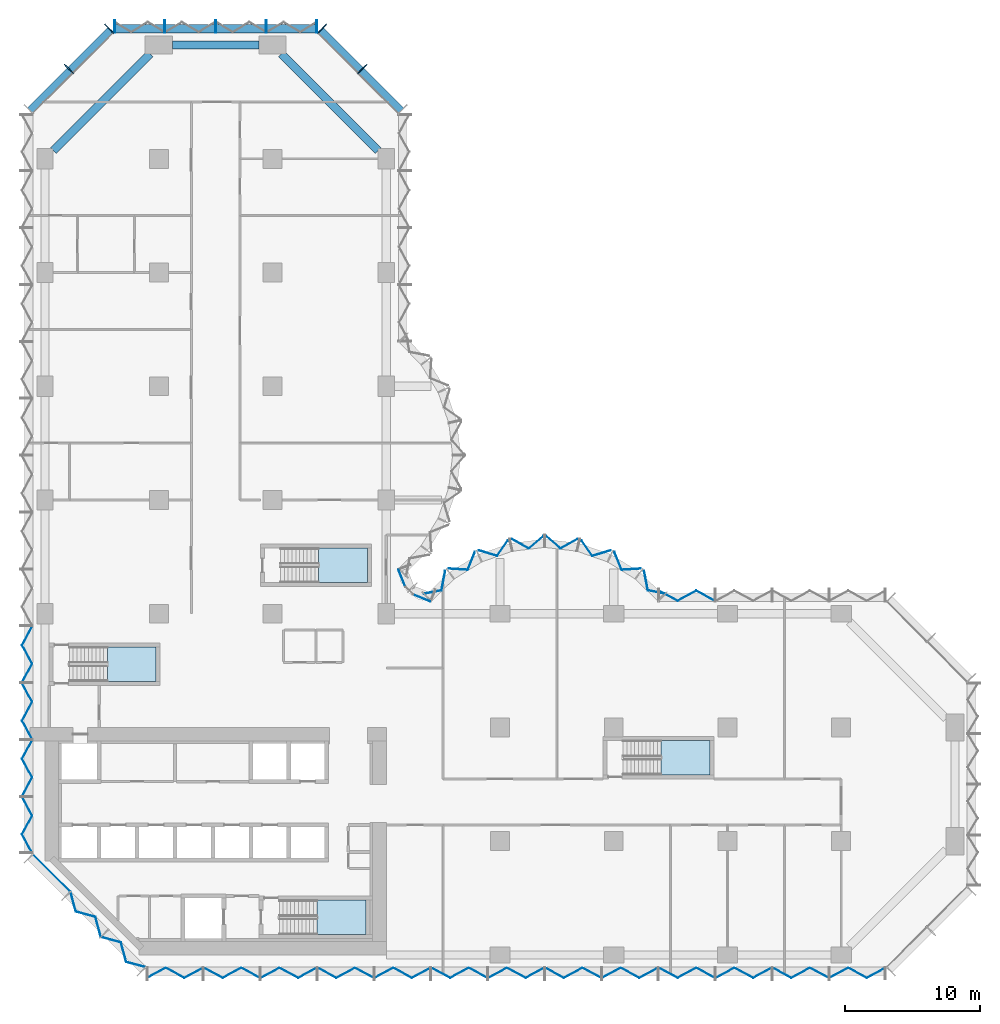
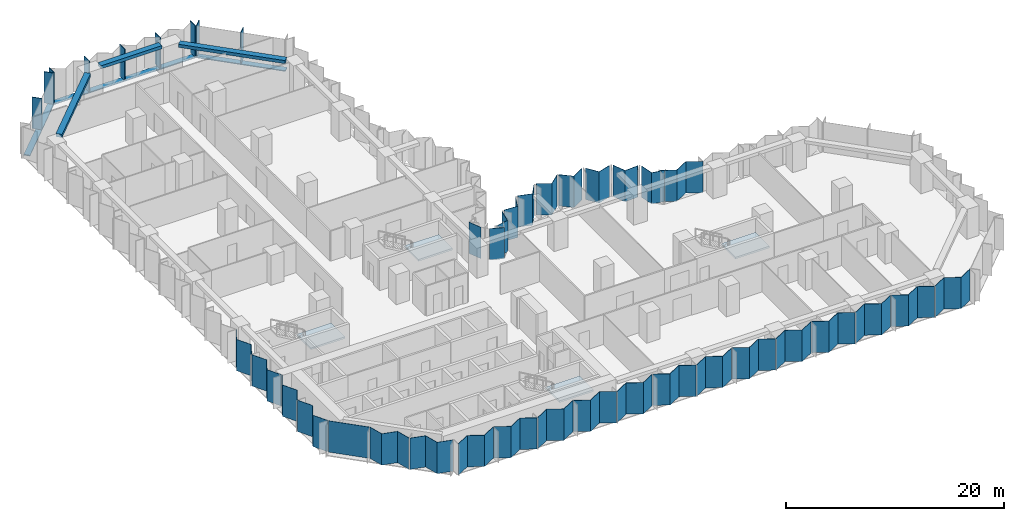
# One storey, part 5 of 15: 31 plates, 12 members, 4 slabs, 3 beams, 13 elements without a shape of their own.
"""IFC4 building model written with IfcOpenShell, lengths in metres."""

from ifc_helpers import new_model, si_unit, direction, frame, origin, origin_2d, place, context, subcontext, project, spatial, polyline, rectangle, outline, extrude, material, layer, layer_set, material_profile, profile_set, type_object, element, aggregate, save


model = new_model("IFC4")

# Units and contexts
model_context = context("Model", 3, precision=1e-05, world=origin(), true_north=direction((0.0, 1.0)))
body_context = subcontext(model_context, "Body", "Model", "MODEL_VIEW")
ifc_project = project(units=[si_unit("LENGTHUNIT", "METRE"), si_unit("AREAUNIT", "SQUARE_METRE"), si_unit("VOLUMEUNIT", "CUBIC_METRE"), si_unit("PLANEANGLEUNIT", "RADIAN"), si_unit("MASSUNIT", "GRAM", prefix="KILO")], contexts=[model_context])

# Site, building, storey
site_placement = place(None, origin())
site = spatial("IfcSite", under=ifc_project, at=site_placement, CompositionType="ELEMENT")
building_placement = place(site_placement, origin())
building = spatial("IfcBuilding", under=site, at=building_placement, Name="Brevane Broadcast Tower", CompositionType="ELEMENT")
storey_placement = place(building_placement, frame((0.0, 0.0, 79.699951171875)))
storey = spatial("IfcBuildingStorey", under=building, at=storey_placement, Name="L18", CompositionType="ELEMENT", Elevation=79.699951171875)

# Curtain wall, members
ifc_material_1 = material(Name="Aluminium 6063-T6 bronze anodised", Category="aluminium")
curtain_wall_type = type_object("IfcCurtainWallType", Name="CW-1 curtain wall", PredefinedType="NOTDEFINED", material=ifc_material_1)
curtain_wall_1_placement = place(storey_placement, origin())
curtain_wall_1 = element("IfcCurtainWall", 1, at=curtain_wall_1_placement, inside=storey, type_object=curtain_wall_type, Name="CW-1 typical tilted unit L18 north arm north-east chamfer", PredefinedType="NOTDEFINED")
ifc_material_profile_1 = material_profile(ifc_material_1, rectangle(XDim=0.949951171875, YDim=0.070068359375, at=origin_2d()), Name="RECT 70x950")
ifc_profile_set_1 = profile_set([ifc_material_profile_1], Name="Aluminium 6063-T6 bronze anodised")
member_type_1 = type_object("IfcMemberType", Name="CW-1 mullion 70x950", PredefinedType="MULLION", material=ifc_profile_set_1)
member_1_placement = place(storey_placement, frame((23.435791015625, 65.435791015625, -0.14990234375), z_axis=(0.0, 0.0, 1.0), x_axis=(-0.707106781187, -0.707106781187, 0.0)))
member_1 = element("IfcMember", 2, at=member_1_placement, type_object=member_type_1, Name="CW-1 mullion", PredefinedType="MULLION", context=body_context, shape_type="SweptSolid", body=[
    extrude(rectangle(XDim=0.949951171875, YDim=0.070068359375, at=origin_2d()), origin(), (0.0, 0.0, 1.0), 3.5),
])
member_2_placement = place(storey_placement, frame((20.460693359375, 68.4111328125, -0.14990234375), z_axis=(0.0, 0.0, 1.0), x_axis=(-0.707106781187, -0.707106781187, 0.0)))
member_2 = element("IfcMember", 3, at=member_2_placement, type_object=member_type_1, Name="CW-1 mullion", PredefinedType="MULLION", context=body_context, shape_type="SweptSolid", body=[
    extrude(rectangle(XDim=0.949951171875, YDim=0.070068359375, at=origin_2d()), origin(), (0.0, 0.0, 1.0), 3.5),
])

curtain_wall_2_placement = place(storey_placement, origin())
curtain_wall_2 = element("IfcCurtainWall", 4, at=curtain_wall_2_placement, inside=storey, type_object=curtain_wall_type, Name="CW-1 typical tilted unit L18 north end", PredefinedType="NOTDEFINED")
member_3_placement = place(storey_placement, frame((20.06494140625, 68.574951171875, -0.14990234375), z_axis=(0.0, 0.0, 1.0), x_axis=(0.0, -1.0, 0.0)))
member_3 = element("IfcMember", 5, at=member_3_placement, type_object=member_type_1, Name="CW-1 mullion", PredefinedType="MULLION", context=body_context, shape_type="SweptSolid", body=[
    extrude(rectangle(XDim=0.949951171875, YDim=0.070068359375, at=origin_2d()), origin(), (0.0, 0.0, 1.0), 3.5),
])
member_4_placement = place(storey_placement, frame((16.35009765625, 68.574951171875, -0.14990234375), z_axis=(0.0, 0.0, 1.0), x_axis=(0.0, -1.0, 0.0)))
member_4 = element("IfcMember", 6, at=member_4_placement, type_object=member_type_1, Name="CW-1 mullion", PredefinedType="MULLION", context=body_context, shape_type="SweptSolid", body=[
    extrude(rectangle(XDim=0.949951171875, YDim=0.070068359375, at=origin_2d()), origin(), (0.0, 0.0, 1.0), 3.5),
])
member_5_placement = place(storey_placement, frame((12.60009765625, 68.574951171875, -0.14990234375), z_axis=(0.0, 0.0, 1.0), x_axis=(0.0, -1.0, 0.0)))
member_5 = element("IfcMember", 7, at=member_5_placement, type_object=member_type_1, Name="CW-1 mullion", PredefinedType="MULLION", context=body_context, shape_type="SweptSolid", body=[
    extrude(rectangle(XDim=0.949951171875, YDim=0.070068359375, at=origin_2d()), origin(), (0.0, 0.0, 1.0), 3.5),
])
member_6_placement = place(storey_placement, frame((8.85009765625, 68.574951171875, -0.14990234375), z_axis=(0.0, 0.0, 1.0), x_axis=(0.0, -1.0, 0.0)))
member_6 = element("IfcMember", 8, at=member_6_placement, type_object=member_type_1, Name="CW-1 mullion", PredefinedType="MULLION", context=body_context, shape_type="SweptSolid", body=[
    extrude(rectangle(XDim=0.949951171875, YDim=0.070068359375, at=origin_2d()), origin(), (0.0, 0.0, 1.0), 3.5),
])
member_7_placement = place(storey_placement, frame((5.135009765625, 68.574951171875, -0.14990234375), z_axis=(0.0, 0.0, 1.0), x_axis=(0.0, -1.0, 0.0)))
member_7 = element("IfcMember", 9, at=member_7_placement, type_object=member_type_1, Name="CW-1 mullion", PredefinedType="MULLION", context=body_context, shape_type="SweptSolid", body=[
    extrude(rectangle(XDim=0.949951171875, YDim=0.070068359375, at=origin_2d()), origin(), (0.0, 0.0, 1.0), 3.5),
])

curtain_wall_3_placement = place(storey_placement, origin())
curtain_wall_3 = element("IfcCurtainWall", 10, at=curtain_wall_3_placement, inside=storey, type_object=curtain_wall_type, Name="CW-1 typical tilted unit L18 north-west chamfer", PredefinedType="NOTDEFINED")
member_8_placement = place(storey_placement, frame((4.7392578125, 68.4111328125, -0.14990234375), z_axis=(0.0, 0.0, 1.0), x_axis=(0.707106781187, -0.707106781187, 0.0)))
member_8 = element("IfcMember", 11, at=member_8_placement, type_object=member_type_1, Name="CW-1 mullion", PredefinedType="MULLION", context=body_context, shape_type="SweptSolid", body=[
    extrude(rectangle(XDim=0.949951171875, YDim=0.070068359375, at=origin_2d()), origin(), (0.0, 0.0, 1.0), 3.5),
])
member_9_placement = place(storey_placement, frame((1.76416015625, 65.435791015625, -0.14990234375), z_axis=(0.0, 0.0, 1.0), x_axis=(0.707106781187, -0.707106781187, 0.0)))
member_9 = element("IfcMember", 12, at=member_9_placement, type_object=member_type_1, Name="CW-1 mullion", PredefinedType="MULLION", context=body_context, shape_type="SweptSolid", body=[
    extrude(rectangle(XDim=0.949951171875, YDim=0.070068359375, at=origin_2d()), origin(), (0.0, 0.0, 1.0), 3.5),
])

# Member
ifc_material_profile_2 = material_profile(ifc_material_1, rectangle(XDim=0.60009765625, YDim=0.10009765625, at=origin_2d()), Name="RECT 100x600")
ifc_profile_set_2 = profile_set([ifc_material_profile_2], Name="Aluminium 6063-T6 bronze anodised")
member_type_2 = type_object("IfcMemberType", Name="CW-1 transom 100x600", PredefinedType="USERDEFINED", material=ifc_profile_set_2)
member_10_placement = place(storey_placement, frame((26.31201171875, 62.31201171875, -0.199951171875), z_axis=(-0.707106781187, 0.707106781187, 0.0), x_axis=(-0.707106781187, -0.707106781187, 0.0)))
member_10 = element("IfcMember", 13, at=member_10_placement, type_object=member_type_2, Name="CW-1 transom", ObjectType="TRANSOM", PredefinedType="USERDEFINED", context=body_context, shape_type="SweptSolid", body=[
    extrude(rectangle(XDim=0.60009765625, YDim=0.10009765625, at=origin_2d()), origin(), (0.0, 0.0, 1.0), 8.4853515625),
])

aggregate(curtain_wall_1, [member_1, member_2, member_10])

member_11_placement = place(storey_placement, frame((20.10009765625, 68.39990234375, -0.199951171875), z_axis=(-1.0, 0.0, 0.0), x_axis=(0.0, -1.0, 0.0)))
member_11 = element("IfcMember", 14, at=member_11_placement, type_object=member_type_2, Name="CW-1 transom", ObjectType="TRANSOM", PredefinedType="USERDEFINED", context=body_context, shape_type="SweptSolid", body=[
    extrude(rectangle(XDim=0.60009765625, YDim=0.10009765625, at=origin_2d()), origin(), (0.0, 0.0, 1.0), 15.0),
])

aggregate(curtain_wall_2, [member_3, member_4, member_5, member_6, member_7, member_11])

member_12_placement = place(storey_placement, frame((4.887939453125, 68.31201171875, -0.199951171875), z_axis=(-0.707106781187, -0.707106781187, 0.0), x_axis=(0.707106781187, -0.707106781187, 0.0)))
member_12 = element("IfcMember", 15, at=member_12_placement, type_object=member_type_2, Name="CW-1 transom", ObjectType="TRANSOM", PredefinedType="USERDEFINED", context=body_context, shape_type="SweptSolid", body=[
    extrude(rectangle(XDim=0.60009765625, YDim=0.10009765625, at=origin_2d()), origin(), (0.0, 0.0, 1.0), 8.4853515625),
])

aggregate(curtain_wall_3, [member_8, member_9, member_12])

# Beams
ifc_material_2 = material(Name="Concrete C40/50", Category="concrete")
ifc_material_profile_3 = material_profile(ifc_material_2, rectangle(XDim=0.60009765625, YDim=0.35009765625, at=origin_2d()), Name="RC 600x350")
ifc_profile_set_3 = profile_set([ifc_material_profile_3], Name="Concrete C40/50")
beam_type = type_object("IfcBeamType", Name="RC SPANDREL BEAM 600x350 C40/50", PredefinedType="SPANDREL", material=ifc_profile_set_3)
beam_1_placement = place(storey_placement, frame((24.60009765625, 59.39990234375, 3.175048828125), z_axis=(-0.707106781187, 0.707106781187, 0.0), x_axis=(-0.707106781187, -0.707106781187, 0.0)))
element("IfcBeam", 16, at=beam_1_placement, inside=storey, type_object=beam_type, Name="EB1 L18-16", PredefinedType="SPANDREL", context=body_context, shape_type="SweptSolid", body=[
    extrude(rectangle(XDim=0.60009765625, YDim=0.35009765625, at=origin_2d()), origin(), (0.0, 0.0, 1.0), 10.11181640625),
])
beam_2_placement = place(storey_placement, frame((15.800048828125, 67.199951171875, 3.175048828125), z_axis=(-1.0, 0.0, 0.0), x_axis=(0.0, -1.0, 0.0)))
element("IfcBeam", 17, at=beam_2_placement, inside=storey, type_object=beam_type, Name="EB1 L18-17", PredefinedType="SPANDREL", context=body_context, shape_type="SweptSolid", body=[
    extrude(rectangle(XDim=0.60009765625, YDim=0.35009765625, at=origin_2d()), origin(), (0.0, 0.0, 1.0), 6.400146484375),
])
beam_3_placement = place(storey_placement, frame((7.75, 66.550048828125, 3.175048828125), z_axis=(-0.707094708853, -0.707118853314, 0.0), x_axis=(0.707118853314, -0.707094708853, 0.0)))
element("IfcBeam", 18, at=beam_3_placement, inside=storey, type_object=beam_type, Name="EB1 L18-18", PredefinedType="SPANDREL", context=body_context, shape_type="SweptSolid", body=[
    extrude(rectangle(XDim=0.60009765625, YDim=0.35009765625, at=origin_2d()), origin(), (0.0, 0.0, 1.0), 10.111572265625),
])

# Curtain wall, plates
curtain_wall_4_placement = place(storey_placement, origin())
curtain_wall_4 = element("IfcCurtainWall", 19, at=curtain_wall_4_placement, inside=storey, type_object=curtain_wall_type, Name="CW-1 typical tilted unit L18 south face", PredefinedType="NOTDEFINED")
ifc_material_3 = material(Name="Laminated glass bronze-tinted", Category="glass")
ifc_layer_1 = layer(ifc_material_3, 0.0400390625)
ifc_layer_set_1 = layer_set([ifc_layer_1], Name="CW tall glass panel 40")
plate_type = type_object("IfcPlateType", Name="CW tall glass panel 40", PredefinedType="CURTAIN_PANEL", material=ifc_layer_set_1)
plate_1_placement = place(storey_placement, frame((0.0, 0.0, -0.14990234375)))
plate_1 = element("IfcPlate", 20, at=plate_1_placement, type_object=plate_type, Name="CW-1 glass panel", PredefinedType="CURTAIN_PANEL", context=body_context, shape_type="SweptSolid", body=[
    extrude(outline(polyline([(7.534912109375, -1.671630859375), (7.534912109375, -1.717041015625), (8.91162109375, -0.97265625), (10.288330078125, -1.717041015625), (11.6650390625, -0.97265625), (11.6650390625, -0.92724609375), (10.288330078125, -1.671630859375), (8.91162109375, -0.92724609375), (7.534912109375, -1.671630859375)])), origin(), (0.0, 0.0, 1.0), 3.5),
])
plate_2_placement = place(storey_placement, frame((0.0, 0.0, -0.14990234375)))
plate_2 = element("IfcPlate", 21, at=plate_2_placement, type_object=plate_type, Name="CW-1 glass panel", PredefinedType="CURTAIN_PANEL", context=body_context, shape_type="SweptSolid", body=[
    extrude(outline(polyline([(11.735107421875, -0.92724609375), (11.735107421875, -0.97265625), (13.11181640625, -1.717041015625), (14.48828125, -0.97265625), (15.864990234375, -1.717041015625), (15.864990234375, -1.671630859375), (14.48828125, -0.92724609375), (13.11181640625, -1.671630859375), (11.735107421875, -0.92724609375)])), origin(), (0.0, 0.0, 1.0), 3.5),
])
plate_3_placement = place(storey_placement, frame((0.0, 0.0, -0.14990234375)))
plate_3 = element("IfcPlate", 22, at=plate_3_placement, type_object=plate_type, Name="CW-1 glass panel", PredefinedType="CURTAIN_PANEL", context=body_context, shape_type="SweptSolid", body=[
    extrude(outline(polyline([(15.93505859375, -1.671630859375), (15.93505859375, -1.717041015625), (17.311767578125, -0.97265625), (18.688232421875, -1.717041015625), (20.06494140625, -0.97265625), (20.06494140625, -0.92724609375), (18.688232421875, -1.671630859375), (17.311767578125, -0.92724609375), (15.93505859375, -1.671630859375)])), origin(), (0.0, 0.0, 1.0), 3.5),
])
plate_4_placement = place(storey_placement, frame((0.0, 0.0, -0.14990234375)))
plate_4 = element("IfcPlate", 23, at=plate_4_placement, type_object=plate_type, Name="CW-1 glass panel", PredefinedType="CURTAIN_PANEL", context=body_context, shape_type="SweptSolid", body=[
    extrude(outline(polyline([(20.135009765625, -0.92724609375), (20.135009765625, -0.97265625), (21.51171875, -1.717041015625), (22.88818359375, -0.97265625), (24.264892578125, -1.717041015625), (24.264892578125, -1.671630859375), (22.88818359375, -0.92724609375), (21.51171875, -1.671630859375), (20.135009765625, -0.92724609375)])), origin(), (0.0, 0.0, 1.0), 3.5),
])
plate_5_placement = place(storey_placement, frame((0.0, 0.0, -0.14990234375)))
plate_5 = element("IfcPlate", 24, at=plate_5_placement, type_object=plate_type, Name="CW-1 glass panel", PredefinedType="CURTAIN_PANEL", context=body_context, shape_type="SweptSolid", body=[
    extrude(outline(polyline([(24.3349609375, -1.671630859375), (24.3349609375, -1.717041015625), (25.711669921875, -0.97265625), (27.08837890625, -1.717041015625), (28.465087890625, -0.97265625), (28.465087890625, -0.92724609375), (27.08837890625, -1.671630859375), (25.711669921875, -0.92724609375), (24.3349609375, -1.671630859375)])), origin(), (0.0, 0.0, 1.0), 3.5),
])
plate_6_placement = place(storey_placement, frame((0.0, 0.0, -0.14990234375)))
plate_6 = element("IfcPlate", 25, at=plate_6_placement, type_object=plate_type, Name="CW-1 glass panel", PredefinedType="CURTAIN_PANEL", context=body_context, shape_type="SweptSolid", body=[
    extrude(outline(polyline([(28.534912109375, -0.92724609375), (28.534912109375, -0.97265625), (29.91162109375, -1.717041015625), (31.288330078125, -0.97265625), (32.6650390625, -1.717041015625), (32.6650390625, -1.671630859375), (31.288330078125, -0.92724609375), (29.91162109375, -1.671630859375), (28.534912109375, -0.92724609375)])), origin(), (0.0, 0.0, 1.0), 3.5),
])
plate_7_placement = place(storey_placement, frame((0.0, 0.0, -0.14990234375)))
plate_7 = element("IfcPlate", 26, at=plate_7_placement, type_object=plate_type, Name="CW-1 glass panel", PredefinedType="CURTAIN_PANEL", context=body_context, shape_type="SweptSolid", body=[
    extrude(outline(polyline([(32.735107421875, -1.671630859375), (32.735107421875, -1.717041015625), (34.11181640625, -0.97265625), (35.48828125, -1.717041015625), (36.864990234375, -0.97265625), (36.864990234375, -0.92724609375), (35.48828125, -1.671630859375), (34.11181640625, -0.92724609375), (32.735107421875, -1.671630859375)])), origin(), (0.0, 0.0, 1.0), 3.5),
])
plate_8_placement = place(storey_placement, frame((0.0, 0.0, -0.14990234375)))
plate_8 = element("IfcPlate", 27, at=plate_8_placement, type_object=plate_type, Name="CW-1 glass panel", PredefinedType="CURTAIN_PANEL", context=body_context, shape_type="SweptSolid", body=[
    extrude(outline(polyline([(36.93505859375, -0.92724609375), (36.93505859375, -0.97265625), (38.311767578125, -1.717041015625), (39.688232421875, -0.97265625), (41.06494140625, -1.717041015625), (41.06494140625, -1.671630859375), (39.688232421875, -0.92724609375), (38.311767578125, -1.671630859375), (36.93505859375, -0.92724609375)])), origin(), (0.0, 0.0, 1.0), 3.5),
])
plate_9_placement = place(storey_placement, frame((0.0, 0.0, -0.14990234375)))
plate_9 = element("IfcPlate", 28, at=plate_9_placement, type_object=plate_type, Name="CW-1 glass panel", PredefinedType="CURTAIN_PANEL", context=body_context, shape_type="SweptSolid", body=[
    extrude(outline(polyline([(41.135009765625, -1.671630859375), (41.135009765625, -1.717041015625), (42.51171875, -0.97265625), (43.88818359375, -1.717041015625), (45.264892578125, -0.97265625), (45.264892578125, -0.92724609375), (43.88818359375, -1.671630859375), (42.51171875, -0.92724609375), (41.135009765625, -1.671630859375)])), origin(), (0.0, 0.0, 1.0), 3.5),
])
plate_10_placement = place(storey_placement, frame((0.0, 0.0, -0.14990234375)))
plate_10 = element("IfcPlate", 29, at=plate_10_placement, type_object=plate_type, Name="CW-1 glass panel", PredefinedType="CURTAIN_PANEL", context=body_context, shape_type="SweptSolid", body=[
    extrude(outline(polyline([(45.3349609375, -0.92724609375), (45.3349609375, -0.97265625), (46.711669921875, -1.717041015625), (48.08837890625, -0.97265625), (49.465087890625, -1.717041015625), (49.465087890625, -1.671630859375), (48.08837890625, -0.92724609375), (46.711669921875, -1.671630859375), (45.3349609375, -0.92724609375)])), origin(), (0.0, 0.0, 1.0), 3.5),
])
plate_11_placement = place(storey_placement, frame((0.0, 0.0, -0.14990234375)))
plate_11 = element("IfcPlate", 30, at=plate_11_placement, type_object=plate_type, Name="CW-1 glass panel", PredefinedType="CURTAIN_PANEL", context=body_context, shape_type="SweptSolid", body=[
    extrude(outline(polyline([(49.534912109375, -1.671630859375), (49.534912109375, -1.717041015625), (50.91162109375, -0.97265625), (52.288330078125, -1.717041015625), (53.6650390625, -0.97265625), (53.6650390625, -0.92724609375), (52.288330078125, -1.671630859375), (50.91162109375, -0.92724609375), (49.534912109375, -1.671630859375)])), origin(), (0.0, 0.0, 1.0), 3.5),
])
plate_12_placement = place(storey_placement, frame((0.0, 0.0, -0.14990234375)))
plate_12 = element("IfcPlate", 31, at=plate_12_placement, type_object=plate_type, Name="CW-1 glass panel", PredefinedType="CURTAIN_PANEL", context=body_context, shape_type="SweptSolid", body=[
    extrude(outline(polyline([(53.735107421875, -0.92724609375), (53.735107421875, -0.97265625), (55.11181640625, -1.717041015625), (56.48828125, -0.97265625), (57.864990234375, -1.717041015625), (57.864990234375, -1.671630859375), (56.48828125, -0.92724609375), (55.11181640625, -1.671630859375), (53.735107421875, -0.92724609375)])), origin(), (0.0, 0.0, 1.0), 3.5),
])
plate_13_placement = place(storey_placement, frame((0.0, 0.0, -0.14990234375)))
plate_13 = element("IfcPlate", 32, at=plate_13_placement, type_object=plate_type, Name="CW-1 glass panel", PredefinedType="CURTAIN_PANEL", context=body_context, shape_type="SweptSolid", body=[
    extrude(outline(polyline([(57.93505859375, -1.671630859375), (57.93505859375, -1.717041015625), (59.311767578125, -0.97265625), (60.688232421875, -1.717041015625), (62.06494140625, -0.97265625), (62.06494140625, -0.92724609375), (60.688232421875, -1.671630859375), (59.311767578125, -0.92724609375), (57.93505859375, -1.671630859375)])), origin(), (0.0, 0.0, 1.0), 3.5),
])
aggregate(curtain_wall_4, [plate_1, plate_2, plate_3, plate_4, plate_5, plate_6, plate_7, plate_8, plate_9, plate_10, plate_11, plate_12, plate_13])

# Curtain wall, plate
curtain_wall_5_placement = place(storey_placement, origin())
curtain_wall_5 = element("IfcCurtainWall", 33, at=curtain_wall_5_placement, inside=storey, type_object=curtain_wall_type, Name="CW-1 typical tilted unit L18 east arm north face", PredefinedType="NOTDEFINED")
plate_14_placement = place(storey_placement, frame((0.0, 0.0, -0.14990234375)))
plate_14 = element("IfcPlate", 34, at=plate_14_placement, type_object=plate_type, Name="CW-1 glass panel", PredefinedType="CURTAIN_PANEL", context=body_context, shape_type="SweptSolid", body=[
    extrude(outline(polyline([(49.465087890625, 26.127197265625), (49.465087890625, 26.172607421875), (48.08837890625, 26.9169921875), (46.711669921875, 26.172607421875), (45.3349609375, 26.9169921875), (45.3349609375, 26.87158203125), (46.711669921875, 26.127197265625), (48.08837890625, 26.87158203125), (49.465087890625, 26.127197265625)])), origin(), (0.0, 0.0, 1.0), 3.5),
])
aggregate(curtain_wall_5, [plate_14])

# Curtain wall, plates
curtain_wall_6_placement = place(storey_placement, origin())
curtain_wall_6 = element("IfcCurtainWall", 35, at=curtain_wall_6_placement, inside=storey, type_object=curtain_wall_type, Name="CW-1 typical tilted unit L18 east bow", PredefinedType="NOTDEFINED")
plate_15_placement = place(storey_placement, frame((0.0, 0.0, -0.14990234375)))
plate_15 = element("IfcPlate", 36, at=plate_15_placement, type_object=plate_type, Name="CW-1 glass panel", PredefinedType="CURTAIN_PANEL", context=body_context, shape_type="SweptSolid", body=[
    extrude(outline(polyline([(45.79150390625, 26.656005859375), (45.82470703125, 26.690185546875), (44.539306640625, 26.9423828125), (44.263916015625, 28.3857421875), (44.231201171875, 28.34375), (44.5048828125, 26.908203125), (45.79150390625, 26.656005859375)])), origin(), (0.0, 0.0, 1.0), 3.5),
])
plate_16_placement = place(storey_placement, frame((0.0, 0.0, -0.14990234375)))
plate_16 = element("IfcPlate", 37, at=plate_16_placement, type_object=plate_type, Name="CW-1 glass panel", PredefinedType="CURTAIN_PANEL", context=body_context, shape_type="SweptSolid", body=[
    extrude(outline(polyline([(43.950439453125, 28.5087890625), (43.9833984375, 28.551025390625), (42.601318359375, 28.462890625), (42.0703125, 29.76171875), (42.046875, 29.712890625), (42.5751953125, 28.42138671875), (43.950439453125, 28.5087890625)])), origin(), (0.0, 0.0, 1.0), 3.5),
])
plate_17_placement = place(storey_placement, frame((0.0, 0.0, -0.14990234375)))
plate_17 = element("IfcPlate", 38, at=plate_17_placement, type_object=plate_type, Name="CW-1 glass panel", PredefinedType="CURTAIN_PANEL", context=body_context, shape_type="SweptSolid", body=[
    extrude(outline(polyline([(41.75537109375, 29.851806640625), (41.778564453125, 29.900634765625), (40.435546875, 29.494384765625), (39.6328125, 30.622802734375), (39.62060546875, 30.57080078125), (40.41943359375, 29.44775390625), (41.75537109375, 29.851806640625)])), origin(), (0.0, 0.0, 1.0), 3.5),
])
plate_18_placement = place(storey_placement, frame((0.0, 0.0, -0.14990234375)))
plate_18 = element("IfcPlate", 39, at=plate_18_placement, type_object=plate_type, Name="CW-1 glass panel", PredefinedType="CURTAIN_PANEL", context=body_context, shape_type="SweptSolid", body=[
    extrude(outline(polyline([(39.31640625, 30.68798828125), (39.328369140625, 30.740478515625), (38.069580078125, 30.036376953125), (37.008056640625, 30.94921875), (37.008056640625, 30.896484375), (38.064697265625, 29.98779296875), (39.31640625, 30.68798828125)])), origin(), (0.0, 0.0, 1.0), 3.5),
])
plate_19_placement = place(storey_placement, frame((0.0, 0.0, -0.14990234375)))
plate_19 = element("IfcPlate", 40, at=plate_19_placement, type_object=plate_type, Name="CW-1 glass panel", PredefinedType="CURTAIN_PANEL", context=body_context, shape_type="SweptSolid", body=[
    extrude(outline(polyline([(36.7919921875, 30.896484375), (36.7919921875, 30.94921875), (35.730224609375, 30.036376953125), (34.4716796875, 30.740478515625), (34.483642578125, 30.68798828125), (35.735107421875, 29.98779296875), (36.7919921875, 30.896484375)])), origin(), (0.0, 0.0, 1.0), 3.5),
])
plate_20_placement = place(storey_placement, frame((0.0, 0.0, -0.14990234375)))
plate_20 = element("IfcPlate", 41, at=plate_20_placement, type_object=plate_type, Name="CW-1 glass panel", PredefinedType="CURTAIN_PANEL", context=body_context, shape_type="SweptSolid", body=[
    extrude(outline(polyline([(34.17919921875, 30.57080078125), (34.167236328125, 30.622802734375), (33.364501953125, 29.494384765625), (32.021484375, 29.900634765625), (32.044677734375, 29.851806640625), (33.380615234375, 29.44775390625), (34.17919921875, 30.57080078125)])), origin(), (0.0, 0.0, 1.0), 3.5),
])
plate_21_placement = place(storey_placement, frame((0.0, 0.0, -0.14990234375)))
plate_21 = element("IfcPlate", 42, at=plate_21_placement, type_object=plate_type, Name="CW-1 glass panel", PredefinedType="CURTAIN_PANEL", context=body_context, shape_type="SweptSolid", body=[
    extrude(outline(polyline([(31.753173828125, 29.712890625), (31.729736328125, 29.76171875), (31.198486328125, 28.462890625), (29.816650390625, 28.551025390625), (29.849609375, 28.5087890625), (31.224609375, 28.42138671875), (31.753173828125, 29.712890625)])), origin(), (0.0, 0.0, 1.0), 3.5),
])
plate_22_placement = place(storey_placement, frame((0.0, 0.0, -0.14990234375)))
plate_22 = element("IfcPlate", 43, at=plate_22_placement, type_object=plate_type, Name="CW-1 glass panel", PredefinedType="CURTAIN_PANEL", context=body_context, shape_type="SweptSolid", body=[
    extrude(outline(polyline([(29.568603515625, 28.34375), (29.535888671875, 28.3857421875), (29.2607421875, 26.9423828125), (27.975341796875, 26.690185546875), (28.008544921875, 26.656005859375), (29.294921875, 26.908203125), (29.568603515625, 28.34375)])), origin(), (0.0, 0.0, 1.0), 3.5),
])
aggregate(curtain_wall_6, [plate_15, plate_16, plate_17, plate_18, plate_19, plate_20, plate_21, plate_22])

curtain_wall_7_placement = place(storey_placement, origin())
curtain_wall_7 = element("IfcCurtainWall", 44, at=curtain_wall_7_placement, inside=storey, type_object=curtain_wall_type, Name="CW-1 typical tilted unit L18 inner corner", PredefinedType="NOTDEFINED")
plate_23_placement = place(storey_placement, frame((0.0, 0.0, -0.14990234375)))
plate_23 = element("IfcPlate", 45, at=plate_23_placement, type_object=plate_type, Name="CW-1 glass panel", PredefinedType="CURTAIN_PANEL", context=body_context, shape_type="SweptSolid", body=[
    extrude(outline(polyline([(28.45166015625, 26.07470703125), (28.466796875, 26.111572265625), (27.2021484375, 26.635498046875), (27.17138671875, 26.60498046875), (28.45166015625, 26.07470703125)])), origin(), (0.0, 0.0, 1.0), 3.5),
])
plate_24_placement = place(storey_placement, frame((0.0, 0.0, -0.14990234375)))
plate_24 = element("IfcPlate", 46, at=plate_24_placement, type_object=plate_type, Name="CW-1 glass panel", PredefinedType="CURTAIN_PANEL", context=body_context, shape_type="SweptSolid", body=[
    extrude(outline(polyline([(26.60498046875, 27.17138671875), (26.635498046875, 27.2021484375), (26.111572265625, 28.466796875), (26.07470703125, 28.45166015625), (26.60498046875, 27.17138671875)])), origin(), (0.0, 0.0, 1.0), 3.5),
])
aggregate(curtain_wall_7, [plate_23, plate_24])

curtain_wall_8_placement = place(storey_placement, origin())
curtain_wall_8 = element("IfcCurtainWall", 47, at=curtain_wall_8_placement, inside=storey, type_object=curtain_wall_type, Name="CW-1 typical tilted unit L18 west face", PredefinedType="NOTDEFINED")
plate_25_placement = place(storey_placement, frame((0.0, 0.0, -0.14990234375)))
plate_25 = element("IfcPlate", 48, at=plate_25_placement, type_object=plate_type, Name="CW-1 glass panel", PredefinedType="CURTAIN_PANEL", context=body_context, shape_type="SweptSolid", body=[
    extrude(outline(polyline([(-0.92724609375, 24.264892578125), (-0.97265625, 24.264892578125), (-1.717041015625, 22.88818359375), (-0.97265625, 21.51171875), (-1.717041015625, 20.135009765625), (-1.671630859375, 20.135009765625), (-0.92724609375, 21.51171875), (-1.671630859375, 22.88818359375), (-0.92724609375, 24.264892578125)])), origin(), (0.0, 0.0, 1.0), 3.5),
])
plate_26_placement = place(storey_placement, frame((0.0, 0.0, -0.14990234375)))
plate_26 = element("IfcPlate", 49, at=plate_26_placement, type_object=plate_type, Name="CW-1 glass panel", PredefinedType="CURTAIN_PANEL", context=body_context, shape_type="SweptSolid", body=[
    extrude(outline(polyline([(-1.671630859375, 20.06494140625), (-1.717041015625, 20.06494140625), (-0.97265625, 18.688232421875), (-1.717041015625, 17.311767578125), (-0.97265625, 15.93505859375), (-0.92724609375, 15.93505859375), (-1.671630859375, 17.311767578125), (-0.92724609375, 18.688232421875), (-1.671630859375, 20.06494140625)])), origin(), (0.0, 0.0, 1.0), 3.5),
])
plate_27_placement = place(storey_placement, frame((0.0, 0.0, -0.14990234375)))
plate_27 = element("IfcPlate", 50, at=plate_27_placement, type_object=plate_type, Name="CW-1 glass panel", PredefinedType="CURTAIN_PANEL", context=body_context, shape_type="SweptSolid", body=[
    extrude(outline(polyline([(-0.92724609375, 15.864990234375), (-0.97265625, 15.864990234375), (-1.717041015625, 14.48828125), (-0.97265625, 13.11181640625), (-1.717041015625, 11.735107421875), (-1.671630859375, 11.735107421875), (-0.92724609375, 13.11181640625), (-1.671630859375, 14.48828125), (-0.92724609375, 15.864990234375)])), origin(), (0.0, 0.0, 1.0), 3.5),
])
plate_28_placement = place(storey_placement, frame((0.0, 0.0, -0.14990234375)))
plate_28 = element("IfcPlate", 51, at=plate_28_placement, type_object=plate_type, Name="CW-1 glass panel", PredefinedType="CURTAIN_PANEL", context=body_context, shape_type="SweptSolid", body=[
    extrude(outline(polyline([(-1.671630859375, 11.6650390625), (-1.717041015625, 11.6650390625), (-0.97265625, 10.288330078125), (-1.717041015625, 8.91162109375), (-0.97265625, 7.534912109375), (-0.92724609375, 7.534912109375), (-1.671630859375, 8.91162109375), (-0.92724609375, 10.288330078125), (-1.671630859375, 11.6650390625)])), origin(), (0.0, 0.0, 1.0), 3.5),
])
aggregate(curtain_wall_8, [plate_25, plate_26, plate_27, plate_28])

curtain_wall_9_placement = place(storey_placement, origin())
curtain_wall_9 = element("IfcCurtainWall", 52, at=curtain_wall_9_placement, inside=storey, type_object=curtain_wall_type, Name="CW-1 typical tilted unit L18 south-west chamfer", PredefinedType="NOTDEFINED")
plate_29_placement = place(storey_placement, frame((0.0, 0.0, -0.14990234375)))
plate_29 = element("IfcPlate", 53, at=plate_29_placement, type_object=plate_type, Name="CW-1 glass panel", PredefinedType="CURTAIN_PANEL", context=body_context, shape_type="SweptSolid", body=[
    extrude(outline(polyline([(-0.896484375, 7.4541015625), (1.85400390625, 4.70361328125), (1.82568359375, 4.67529296875), (-0.9248046875, 7.42578125), (-0.896484375, 7.4541015625)])), origin(), (0.0, 0.0, 1.0), 3.5),
])
plate_30_placement = place(storey_placement, frame((0.0, 0.0, -0.14990234375)))
plate_30 = element("IfcPlate", 54, at=plate_30_placement, type_object=plate_type, Name="CW-1 glass panel", PredefinedType="CURTAIN_PANEL", context=body_context, shape_type="SweptSolid", body=[
    extrude(outline(polyline([(1.90576171875, 4.65625), (1.873046875, 4.62353515625), (2.263671875, 3.180419921875), (3.706787109375, 2.789794921875), (4.09716796875, 1.3466796875), (4.1298828125, 1.37939453125), (3.739501953125, 2.822509765625), (2.296142578125, 3.212890625), (1.90576171875, 4.65625)])), origin(), (0.0, 0.0, 1.0), 3.5),
])
plate_31_placement = place(storey_placement, frame((0.0, 0.0, -0.14990234375)))
plate_31 = element("IfcPlate", 55, at=plate_31_placement, type_object=plate_type, Name="CW-1 glass panel", PredefinedType="CURTAIN_PANEL", context=body_context, shape_type="SweptSolid", body=[
    extrude(outline(polyline([(4.17919921875, 1.329833984375), (4.146728515625, 1.297119140625), (5.58984375, 0.90673828125), (5.98046875, -0.536376953125), (7.423583984375, -0.927001953125), (7.456298828125, -0.894287109375), (6.012939453125, -0.50390625), (5.62255859375, 0.939453125), (4.17919921875, 1.329833984375)])), origin(), (0.0, 0.0, 1.0), 3.5),
])
aggregate(curtain_wall_9, [plate_29, plate_30, plate_31])

# Stair, slab
ifc_material_4 = material(Name="Concrete C50/60", Category="concrete")
stair_type = type_object("IfcStairType", Name="Exit stair 22 risers", PredefinedType="HALF_TURN_STAIR", material=ifc_material_4)
stair_1_placement = place(storey_placement, origin())
stair_1 = element("IfcStair", 56, at=stair_1_placement, inside=storey, type_object=stair_type, Name="L18 Exit stair ST-1", PredefinedType="HALF_TURN_STAIR")
ifc_layer_2 = layer(ifc_material_4, 0.199951171875)
ifc_layer_set_2 = layer_set([ifc_layer_2], Name="Exit stair landing")
slab_type = type_object("IfcSlabType", Name="Exit stair landing", PredefinedType="LANDING", material=ifc_layer_set_2)
slab_1_placement = place(storey_placement, frame((0.0, 0.0, 1.60009765625)))
slab_1 = element("IfcSlab", 57, at=slab_1_placement, type_object=slab_type, Name="ST-1 landing 1", PredefinedType="LANDING", context=body_context, shape_type="SweptSolid", body=[
    extrude(outline(polyline([(4.60009765625, 20.199951171875), (8.199951171875, 20.199951171875), (8.199951171875, 22.75), (4.60009765625, 22.75), (4.60009765625, 20.199951171875)])), origin(), (0.0, 0.0, 1.0), 0.199951171875),
])
aggregate(stair_1, [slab_1])

stair_2_placement = place(storey_placement, origin())
stair_2 = element("IfcStair", 58, at=stair_2_placement, inside=storey, type_object=stair_type, Name="L18 Exit stair ST-2", PredefinedType="HALF_TURN_STAIR")
slab_2_placement = place(storey_placement, frame((0.0, 0.0, 1.60009765625)))
slab_2 = element("IfcSlab", 59, at=slab_2_placement, type_object=slab_type, Name="ST-2 landing 1", PredefinedType="LANDING", context=body_context, shape_type="SweptSolid", body=[
    extrude(outline(polyline([(20.10009765625, 1.5), (23.699951171875, 1.5), (23.699951171875, 4.050048828125), (20.10009765625, 4.050048828125), (20.10009765625, 1.5)])), origin(), (0.0, 0.0, 1.0), 0.199951171875),
])
aggregate(stair_2, [slab_2])

stair_3_placement = place(storey_placement, origin())
stair_3 = element("IfcStair", 60, at=stair_3_placement, inside=storey, type_object=stair_type, Name="L18 Exit stair ST-3", PredefinedType="HALF_TURN_STAIR")
slab_3_placement = place(storey_placement, frame((0.0, 0.0, 1.60009765625)))
slab_3 = element("IfcSlab", 61, at=slab_3_placement, type_object=slab_type, Name="ST-3 landing 1", PredefinedType="LANDING", context=body_context, shape_type="SweptSolid", body=[
    extrude(outline(polyline([(20.199951171875, 27.5), (23.800048828125, 27.5), (23.800048828125, 30.050048828125), (20.199951171875, 30.050048828125), (20.199951171875, 27.5)])), origin(), (0.0, 0.0, 1.0), 0.199951171875),
])
aggregate(stair_3, [slab_3])

stair_4_placement = place(storey_placement, origin())
stair_4 = element("IfcStair", 62, at=stair_4_placement, inside=storey, type_object=stair_type, Name="L18 Exit stair ST-4", PredefinedType="HALF_TURN_STAIR")
slab_4_placement = place(storey_placement, frame((0.0, 0.0, 1.60009765625)))
slab_4 = element("IfcSlab", 63, at=slab_4_placement, type_object=slab_type, Name="ST-4 landing 1", PredefinedType="LANDING", context=body_context, shape_type="SweptSolid", body=[
    extrude(outline(polyline([(45.5, 13.300048828125), (49.10009765625, 13.300048828125), (49.10009765625, 15.85009765625), (45.5, 15.85009765625), (45.5, 13.300048828125)])), origin(), (0.0, 0.0, 1.0), 0.199951171875),
])
aggregate(stair_4, [slab_4])

save(model, "model.ifc")
